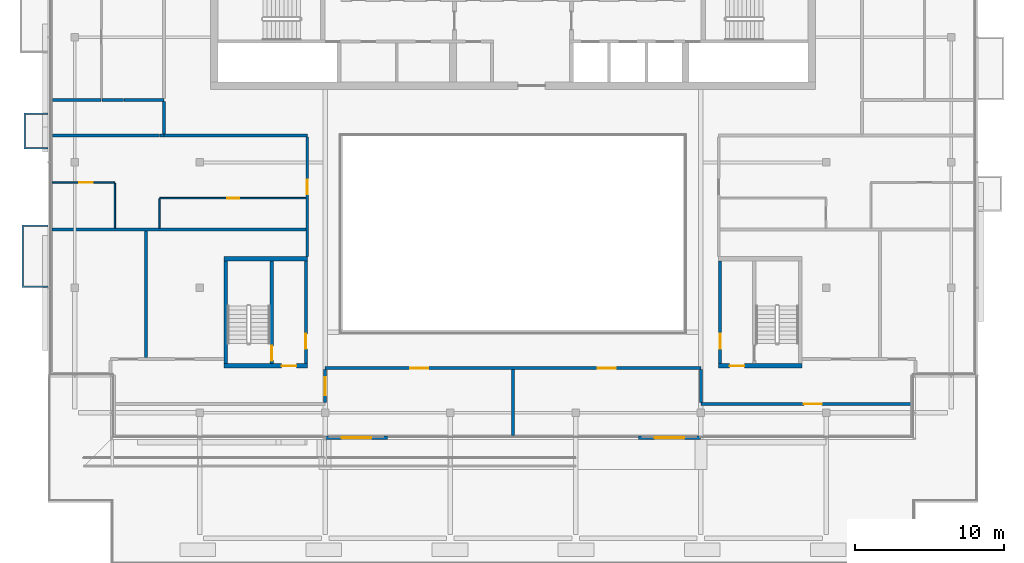
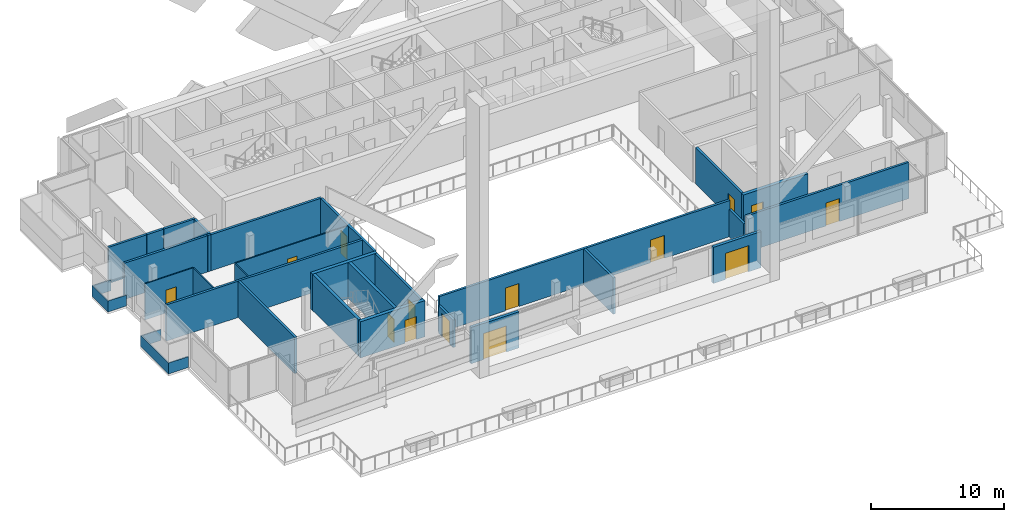
# One storey, part 11 of 22: 30 walls, 14 doors, 14 openings.
"""IFC4 building model written with IfcOpenShell, lengths in metres."""

from ifc_helpers import new_model, si_unit, direction, frame, frame_2d, origin, place, context, subcontext, project, spatial, polyline, rectangle, outline, extrude, material, layer, layer_set, type_object, element, fill, save


model = new_model("IFC4")

# Units and contexts
model_context = context("Model", 3, precision=1e-05, world=origin(), true_north=direction((0.0, 1.0)))
body_context = subcontext(model_context, "Body", "Model", "MODEL_VIEW")
ifc_project = project(units=[si_unit("LENGTHUNIT", "METRE"), si_unit("AREAUNIT", "SQUARE_METRE"), si_unit("VOLUMEUNIT", "CUBIC_METRE"), si_unit("PLANEANGLEUNIT", "RADIAN"), si_unit("MASSUNIT", "GRAM", prefix="KILO")], contexts=[model_context])

# Site, building, storey
site_placement = place(None, origin())
site = spatial("IfcSite", under=ifc_project, at=site_placement, CompositionType="ELEMENT")
building_placement = place(site_placement, origin())
building = spatial("IfcBuilding", under=site, at=building_placement, Name="Saffron Gate Tower", CompositionType="ELEMENT")
storey_placement = place(building_placement, frame((0.0, 0.0, 285.14990234375)))
storey = spatial("IfcBuildingStorey", under=building, at=storey_placement, Name="L69", CompositionType="ELEMENT", Elevation=285.14990234375)

# Wall, opening, door
ifc_material_1 = material(Name="Gypsum board partition on steel studs", Category="steel")
ifc_layer_1 = layer(ifc_material_1, 0.199951171875)
ifc_layer_set_1 = layer_set([ifc_layer_1], Name="CW10 Core partition 200")
wall_type_1 = type_object("IfcWallType", Name="CW10 Core partition 200", PredefinedType="PARTITIONING", material=ifc_layer_set_1)
wall_1_placement = place(storey_placement, frame((73.699951171875, 43.5, 0.0), z_axis=(0.0, 0.0, 1.0), x_axis=(0.0, 1.0, 0.0)))
wall_1 = element("IfcWall", 1, at=wall_1_placement, inside=storey, type_object=wall_type_1, Name="Wall CW10-L69-D-4", PredefinedType="PARTITIONING", context=body_context, shape_type="SweptSolid", body=[
    extrude(rectangle(XDim=6.89990234375, YDim=0.199951171875, at=frame_2d((3.449951171875, 0.0))), origin(), (0.0, 0.0, 1.0), 3.320068359375),
])
opening_1_placement = place(wall_1_placement, frame((1.0, 0.0, 0.0)))
opening_1 = element("IfcOpeningElement", 2, at=opening_1_placement, cuts=wall_1, Name="Opening CR-19", PredefinedType="OPENING", context=body_context, shape_type="SweptSolid", body=[
    extrude(rectangle(XDim=1.0, YDim=2.10009765625, at=frame_2d((0.5, 1.050048828125))), frame((0.0, 0.10986328125, 0.0), z_axis=(0.0, -1.0, 0.0), x_axis=(1.0, 0.0, 0.0)), (0.0, 0.0, 1.0), 0.219970703125),
])
ifc_material_2 = material(Name="Steel fire door set", Category="steel")
door_type_1 = type_object("IfcDoorType", Name="CD4 Lobby door 1000x2100 EI 120", OperationType="NOTDEFINED", PredefinedType="DOOR", material=ifc_material_2)
door_1_placement = place(opening_1_placement, origin())
door_1 = element("IfcDoor", 3, at=door_1_placement, inside=storey, type_object=door_type_1, Name="DOOR CR-19", OperationType="SINGLE_SWING_RIGHT", OverallHeight=2.10009765625, OverallWidth=1.0, PredefinedType="DOOR", context=body_context, shape_type="SweptSolid", body=[
    extrude(rectangle(XDim=1.0, YDim=2.10009765625, at=frame_2d((0.5, 1.050048828125))), frame((0.0, 0.02490234375, 0.0), z_axis=(0.0, -1.0, 0.0), x_axis=(1.0, 0.0, 0.0)), (0.0, 0.0, 1.0), 0.050048828125),
])
fill(opening_1, door_1)

wall_2_placement = place(storey_placement, frame((101.5, 43.5, 0.0), z_axis=(0.0, 0.0, 1.0), x_axis=(0.0, 1.0, 0.0)))
wall_2 = element("IfcWall", 4, at=wall_2_placement, inside=storey, type_object=wall_type_1, Name="Wall CW10-L69-E-2", PredefinedType="PARTITIONING", context=body_context, shape_type="SweptSolid", body=[
    extrude(rectangle(XDim=6.89990234375, YDim=0.199951171875, at=frame_2d((3.449951171875, 0.0))), origin(), (0.0, 0.0, 1.0), 3.320068359375),
])
opening_2_placement = place(wall_2_placement, frame((1.0, 0.0, 0.0)))
opening_2 = element("IfcOpeningElement", 5, at=opening_2_placement, cuts=wall_2, Name="Opening CR-22", PredefinedType="OPENING", context=body_context, shape_type="SweptSolid", body=[
    extrude(rectangle(XDim=1.0, YDim=2.10009765625, at=frame_2d((0.5, 1.050048828125))), frame((0.0, 0.10986328125, 0.0), z_axis=(0.0, -1.0, 0.0), x_axis=(1.0, 0.0, 0.0)), (0.0, 0.0, 1.0), 0.219970703125),
])
door_2_placement = place(opening_2_placement, origin())
door_2 = element("IfcDoor", 6, at=door_2_placement, inside=storey, type_object=door_type_1, Name="DOOR CR-22", OperationType="SINGLE_SWING_LEFT", OverallHeight=2.10009765625, OverallWidth=1.0, PredefinedType="DOOR", context=body_context, shape_type="SweptSolid", body=[
    extrude(rectangle(XDim=1.0, YDim=2.10009765625, at=frame_2d((0.5, 1.050048828125))), frame((0.0, 0.02490234375, 0.0), z_axis=(0.0, -1.0, 0.0), x_axis=(1.0, 0.0, 0.0)), (0.0, 0.0, 1.0), 0.050048828125),
])
fill(opening_2, door_2)

# Wall
ifc_material_3 = material(Name="Concrete C50", Category="concrete")
ifc_layer_2 = layer(ifc_material_3, 0.25)
ifc_layer_set_2 = layer_set([ifc_layer_2], Name="CW23 RC core wall 250 C50")
wall_type_2 = type_object("IfcWallType", Name="CW23 RC core wall 250 C50", PredefinedType="SOLIDWALL", material=ifc_layer_set_2)
wall_3_placement = place(storey_placement, frame((68.324951171875, 43.5, 0.0), z_axis=(0.0, 0.0, 1.0), x_axis=(0.0, 1.0, 0.0)))
element("IfcWall", 7, at=wall_3_placement, inside=storey, type_object=wall_type_2, Name="Wall CW23-L69-D-2", PredefinedType="SOLIDWALL", context=body_context, shape_type="SweptSolid", body=[
    extrude(rectangle(XDim=6.89990234375, YDim=0.25, at=frame_2d((3.449951171875, 0.0))), origin(), (0.0, 0.0, 1.0), 3.320068359375),
])

# Wall, opening, door
wall_4_placement = place(storey_placement, frame((71.425048828125, 43.5, 0.0), z_axis=(0.0, 0.0, 1.0), x_axis=(0.0, 1.0, 0.0)))
wall_4 = element("IfcWall", 8, at=wall_4_placement, inside=storey, type_object=wall_type_2, Name="Wall CW23-L69-D-3", PredefinedType="SOLIDWALL", context=body_context, shape_type="SweptSolid", body=[
    extrude(rectangle(XDim=6.89990234375, YDim=0.25, at=frame_2d((3.449951171875, 0.0))), origin(), (0.0, 0.0, 1.0), 3.320068359375),
])
opening_3_placement = place(wall_4_placement, frame((0.199951171875, 0.0, 0.0)))
opening_3 = element("IfcOpeningElement", 9, at=opening_3_placement, cuts=wall_4, Name="Opening CR-20", PredefinedType="OPENING", context=body_context, shape_type="SweptSolid", body=[
    extrude(rectangle(XDim=1.0, YDim=2.10009765625, at=frame_2d((0.5, 1.050048828125))), frame((0.0, 0.135009765625, 0.0), z_axis=(0.0, -1.0, 0.0), x_axis=(1.0, 0.0, 0.0)), (0.0, 0.0, 1.0), 0.27001953125),
])
door_type_2 = type_object("IfcDoorType", Name="CD5 Stair door 1000x2100 EI 120", OperationType="NOTDEFINED", PredefinedType="DOOR", material=ifc_material_2)
door_3_placement = place(opening_3_placement, origin())
door_3 = element("IfcDoor", 10, at=door_3_placement, inside=storey, type_object=door_type_2, Name="DOOR CR-20", OperationType="SINGLE_SWING_LEFT", OverallHeight=2.10009765625, OverallWidth=1.0, PredefinedType="DOOR", context=body_context, shape_type="SweptSolid", body=[
    extrude(rectangle(XDim=1.0, YDim=2.10009765625, at=frame_2d((0.5, 1.050048828125))), frame((0.0, 0.02490234375, 0.0), z_axis=(0.0, -1.0, 0.0), x_axis=(1.0, 0.0, 0.0)), (0.0, 0.0, 1.0), 0.050048828125),
])
fill(opening_3, door_3)

ifc_layer_3 = layer(ifc_material_3, 0.300048828125)
ifc_layer_set_3 = layer_set([ifc_layer_3], Name="CW26 RC core wall 300 C50")
wall_type_3 = type_object("IfcWallType", Name="CW26 RC core wall 300 C50", PredefinedType="SOLIDWALL", material=ifc_layer_set_3)
wall_5_placement = place(storey_placement, frame((68.199951171875, 43.35009765625, 0.0), z_axis=(0.0, 0.0, 1.0), x_axis=(1.0, 0.0, 0.0)))
wall_5 = element("IfcWall", 11, at=wall_5_placement, inside=storey, type_object=wall_type_3, Name="Wall CW26-L69-D-1", PredefinedType="SOLIDWALL", context=body_context, shape_type="SweptSolid", body=[
    extrude(rectangle(XDim=5.60009765625, YDim=0.300048828125, at=frame_2d((2.800048828125, 0.0))), origin(), (0.0, 0.0, 1.0), 3.320068359375),
])
opening_4_placement = place(wall_5_placement, frame((3.875, 0.0, 0.0)))
opening_4 = element("IfcOpeningElement", 12, at=opening_4_placement, cuts=wall_5, Name="Opening CR-18", PredefinedType="OPENING", context=body_context, shape_type="SweptSolid", body=[
    extrude(rectangle(XDim=1.0, YDim=2.10009765625, at=frame_2d((0.5, 1.050048828125))), frame((0.0, 0.16015625, 0.0), z_axis=(0.0, -1.0, 0.0), x_axis=(1.0, 0.0, 0.0)), (0.0, 0.0, 1.0), 0.320068359375),
])
door_4_placement = place(opening_4_placement, origin())
door_4 = element("IfcDoor", 13, at=door_4_placement, inside=storey, type_object=door_type_1, Name="DOOR CR-18", OperationType="SINGLE_SWING_RIGHT", OverallHeight=2.10009765625, OverallWidth=1.0, PredefinedType="DOOR", context=body_context, shape_type="SweptSolid", body=[
    extrude(rectangle(XDim=1.0, YDim=2.10009765625, at=frame_2d((0.5, 1.050048828125))), frame((0.0, 0.02490234375, 0.0), z_axis=(0.0, -1.0, 0.0), x_axis=(1.0, 0.0, 0.0)), (0.0, 0.0, 1.0), 0.050048828125),
])
fill(opening_4, door_4)

# Wall
wall_6_placement = place(storey_placement, frame((68.199951171875, 50.550048828125, 0.0), z_axis=(0.0, 0.0, 1.0), x_axis=(1.0, 0.0, 0.0)))
element("IfcWall", 14, at=wall_6_placement, inside=storey, type_object=wall_type_3, Name="Wall CW26-L69-D-5", PredefinedType="SOLIDWALL", context=body_context, shape_type="SweptSolid", body=[
    extrude(rectangle(XDim=5.60009765625, YDim=0.300048828125, at=frame_2d((2.800048828125, 0.0))), origin(), (0.0, 0.0, 1.0), 3.320068359375),
])

# Wall, opening, door
wall_7_placement = place(storey_placement, frame((101.39990234375, 43.35009765625, 0.0), z_axis=(0.0, 0.0, 1.0), x_axis=(1.0, 0.0, 0.0)))
wall_7 = element("IfcWall", 15, at=wall_7_placement, inside=storey, type_object=wall_type_3, Name="Wall CW26-L69-E-1", PredefinedType="SOLIDWALL", context=body_context, shape_type="SweptSolid", body=[
    extrude(rectangle(XDim=5.60009765625, YDim=0.300048828125, at=frame_2d((2.800048828125, 0.0))), origin(), (0.0, 0.0, 1.0), 3.320068359375),
])
opening_5_placement = place(wall_7_placement, frame((0.72509765625, 0.0, 0.0)))
opening_5 = element("IfcOpeningElement", 16, at=opening_5_placement, cuts=wall_7, Name="Opening CR-21", PredefinedType="OPENING", context=body_context, shape_type="SweptSolid", body=[
    extrude(rectangle(XDim=1.0, YDim=2.10009765625, at=frame_2d((0.5, 1.050048828125))), frame((0.0, 0.16015625, 0.0), z_axis=(0.0, -1.0, 0.0), x_axis=(1.0, 0.0, 0.0)), (0.0, 0.0, 1.0), 0.320068359375),
])
door_5_placement = place(opening_5_placement, origin())
door_5 = element("IfcDoor", 17, at=door_5_placement, inside=storey, type_object=door_type_1, Name="DOOR CR-21", OperationType="SINGLE_SWING_RIGHT", OverallHeight=2.10009765625, OverallWidth=1.0, PredefinedType="DOOR", context=body_context, shape_type="SweptSolid", body=[
    extrude(rectangle(XDim=1.0, YDim=2.10009765625, at=frame_2d((0.5, 1.050048828125))), frame((0.0, 0.02490234375, 0.0), z_axis=(0.0, -1.0, 0.0), x_axis=(1.0, 0.0, 0.0)), (0.0, 0.0, 1.0), 0.050048828125),
])
fill(opening_5, door_5)

ifc_material_4 = material(Name="Plasterboard on steel studs", Category="steel")
ifc_layer_4 = layer(ifc_material_4, 0.10009765625)
ifc_layer_set_4 = layer_set([ifc_layer_4], Name="PW1 Partition 100")
wall_type_4 = type_object("IfcWallType", Name="PW1 Partition 100", PredefinedType="PARTITIONING", material=ifc_layer_set_4)
wall_8_placement = place(storey_placement, frame((73.699951171875, 54.60009765625, 0.0), z_axis=(0.0, 0.0, 1.0), x_axis=(-1.0, 0.0, 0.0)))
wall_8 = element("IfcWall", 18, at=wall_8_placement, inside=storey, type_object=wall_type_4, Name="Partition E4-8", PredefinedType="PARTITIONING", context=body_context, shape_type="SweptSolid", body=[
    extrude(rectangle(XDim=9.800048828125, YDim=0.10009765625, at=frame_2d((4.89990234375, 0.0))), origin(), (0.0, 0.0, 1.0), 3.320068359375),
])
opening_6_placement = place(wall_8_placement, frame((4.449951171875, 0.0, 0.0)))
opening_6 = element("IfcOpeningElement", 19, at=opening_6_placement, cuts=wall_8, Name="Opening E4-9", PredefinedType="OPENING", context=body_context, shape_type="SweptSolid", body=[
    extrude(rectangle(XDim=0.800048828125, YDim=2.10009765625, at=frame_2d((0.39990234375, 1.050048828125))), frame((0.0, 0.06005859375, 0.0), z_axis=(0.0, -1.0, 0.0), x_axis=(1.0, 0.0, 0.0)), (0.0, 0.0, 1.0), 0.1201171875),
])
ifc_material_5 = material(Name="Timber door set", Category="wood")
door_type_3 = type_object("IfcDoorType", Name="RD2 Bathroom door 800x2100", OperationType="NOTDEFINED", PredefinedType="DOOR", material=ifc_material_5)
door_6_placement = place(opening_6_placement, origin())
door_6 = element("IfcDoor", 20, at=door_6_placement, inside=storey, type_object=door_type_3, Name="Door E4-9", OperationType="SINGLE_SWING_LEFT", OverallHeight=2.10009765625, OverallWidth=0.800048828125, PredefinedType="DOOR", context=body_context, shape_type="SweptSolid", body=[
    extrude(rectangle(XDim=0.800048828125, YDim=2.10009765625, at=frame_2d((0.39990234375, 1.050048828125))), frame((0.0, 0.02490234375, 0.0), z_axis=(0.0, -1.0, 0.0), x_axis=(1.0, 0.0, 0.0)), (0.0, 0.0, 1.0), 0.050048828125),
])
fill(opening_6, door_6)

wall_9_placement = place(storey_placement, frame((60.89990234375, 55.64990234375, 0.0), z_axis=(0.0, 0.0, 1.0), x_axis=(-1.0, 0.0, 0.0)))
wall_9 = element("IfcWall", 21, at=wall_9_placement, inside=storey, type_object=wall_type_4, Name="Partition E4-10", PredefinedType="PARTITIONING", context=body_context, shape_type="SweptSolid", body=[
    extrude(rectangle(XDim=4.219970703125, YDim=0.10009765625, at=frame_2d((2.10986328125, 0.0))), origin(), (0.0, 0.0, 1.0), 3.320068359375),
])
opening_7_placement = place(wall_9_placement, frame((1.5, 0.0, 0.0)))
opening_7 = element("IfcOpeningElement", 22, at=opening_7_placement, cuts=wall_9, Name="Opening E4-5", PredefinedType="OPENING", context=body_context, shape_type="SweptSolid", body=[
    extrude(rectangle(XDim=0.89990234375, YDim=2.10009765625, at=frame_2d((0.449951171875, 1.050048828125))), frame((0.0, 0.06005859375, 0.0), z_axis=(0.0, -1.0, 0.0), x_axis=(1.0, 0.0, 0.0)), (0.0, 0.0, 1.0), 0.1201171875),
])
door_type_4 = type_object("IfcDoorType", Name="RD1 Room door 900x2100", OperationType="NOTDEFINED", PredefinedType="DOOR", material=ifc_material_5)
door_7_placement = place(opening_7_placement, origin())
door_7 = element("IfcDoor", 23, at=door_7_placement, inside=storey, type_object=door_type_4, Name="Door E4-5", OperationType="SINGLE_SWING_LEFT", OverallHeight=2.10009765625, OverallWidth=0.89990234375, PredefinedType="DOOR", context=body_context, shape_type="SweptSolid", body=[
    extrude(rectangle(XDim=0.89990234375, YDim=2.10009765625, at=frame_2d((0.449951171875, 1.050048828125))), frame((0.0, 0.02490234375, 0.0), z_axis=(0.0, -1.0, 0.0), x_axis=(1.0, 0.0, 0.0)), (0.0, 0.0, 1.0), 0.050048828125),
])
fill(opening_7, door_7)

# Walls
wall_10_placement = place(storey_placement, frame((60.89990234375, 55.60009765625, 0.0), z_axis=(0.0, 0.0, 1.0), x_axis=(0.0, -1.0, 0.0)))
element("IfcWall", 24, at=wall_10_placement, inside=storey, type_object=wall_type_4, Name="Partition E4-29", PredefinedType="PARTITIONING", context=body_context, shape_type="SweptSolid", body=[
    extrude(rectangle(XDim=3.0, YDim=0.10009765625, at=frame_2d((1.5, 0.0))), origin(), (0.0, 0.0, 1.0), 3.320068359375),
])
wall_11_placement = place(storey_placement, frame((63.89990234375, 54.550048828125, 0.0), z_axis=(0.0, 0.0, 1.0), x_axis=(0.0, -1.0, 0.0)))
element("IfcWall", 25, at=wall_11_placement, inside=storey, type_object=wall_type_4, Name="Partition E4-32", PredefinedType="PARTITIONING", context=body_context, shape_type="SweptSolid", body=[
    extrude(rectangle(XDim=1.949951171875, YDim=0.10009765625, at=frame_2d((0.97509765625, 0.0))), origin(), (0.0, 0.0, 1.0), 3.320068359375),
])

# Wall, opening, door
ifc_material_6 = material(Name="Clay brick masonry, rendered", Category="masonry")
ifc_layer_5 = layer(ifc_material_6, 0.199951171875)
ifc_layer_set_5 = layer_set([ifc_layer_5], Name="PW3 Corridor wall 200")
wall_type_5 = type_object("IfcWallType", Name="PW3 Corridor wall 200", PredefinedType="PARTITIONING", material=ifc_layer_set_5)
wall_12_placement = place(storey_placement, frame((114.320068359375, 40.800048828125, 0.0), z_axis=(0.0, 0.0, 1.0), x_axis=(-1.0, 0.0, 0.0)))
wall_12 = element("IfcWall", 26, at=wall_12_placement, inside=storey, type_object=wall_type_5, Name="Wall E4-2", PredefinedType="PARTITIONING", context=body_context, shape_type="SweptSolid", body=[
    extrude(rectangle(XDim=14.1201171875, YDim=0.199951171875, at=frame_2d((7.06005859375, 0.0))), origin(), (0.0, 0.0, 1.0), 3.320068359375),
])
opening_8_placement = place(wall_12_placement, frame((6.010009765625, 0.0, 0.0)))
opening_8 = element("IfcOpeningElement", 27, at=opening_8_placement, cuts=wall_12, Name="Opening E4-17", PredefinedType="OPENING", context=body_context, shape_type="SweptSolid", body=[
    extrude(rectangle(XDim=1.199951171875, YDim=2.10009765625, at=frame_2d((0.60009765625, 1.050048828125))), frame((0.0, 0.10986328125, 0.0), z_axis=(0.0, -1.0, 0.0), x_axis=(1.0, 0.0, 0.0)), (0.0, 0.0, 1.0), 0.219970703125),
])
door_type_5 = type_object("IfcDoorType", Name="HD1 Hall door 1200x2100", OperationType="NOTDEFINED", PredefinedType="DOOR", material=ifc_material_5)
door_8_placement = place(opening_8_placement, origin())
door_8 = element("IfcDoor", 28, at=door_8_placement, inside=storey, type_object=door_type_5, Name="Door E4-17", OperationType="SINGLE_SWING_RIGHT", OverallHeight=2.10009765625, OverallWidth=1.199951171875, PredefinedType="DOOR", context=body_context, shape_type="SweptSolid", body=[
    extrude(rectangle(XDim=1.199951171875, YDim=2.10009765625, at=frame_2d((0.60009765625, 1.050048828125))), frame((0.0, 0.02490234375, 0.0), z_axis=(0.0, -1.0, 0.0), x_axis=(1.0, 0.0, 0.0)), (0.0, 0.0, 1.0), 0.050048828125),
])
fill(opening_8, door_8)

# Wall, openings, doors
wall_13_placement = place(storey_placement, frame((100.199951171875, 43.199951171875, 0.0), z_axis=(0.0, 0.0, 1.0), x_axis=(-1.0, 0.0, 0.0)))
wall_13 = element("IfcWall", 29, at=wall_13_placement, inside=storey, type_object=wall_type_5, Name="Wall E4-3", PredefinedType="PARTITIONING", context=body_context, shape_type="SweptSolid", body=[
    extrude(rectangle(XDim=25.199951171875, YDim=0.199951171875, at=frame_2d((12.60009765625, 0.0))), origin(), (0.0, 0.0, 1.0), 3.320068359375),
])
opening_9_placement = place(wall_13_placement, frame((5.699951171875, 0.0, 0.0)))
opening_9 = element("IfcOpeningElement", 30, at=opening_9_placement, cuts=wall_13, Name="Opening E4-14", PredefinedType="OPENING", context=body_context, shape_type="SweptSolid", body=[
    extrude(rectangle(XDim=1.199951171875, YDim=2.10009765625, at=frame_2d((0.60009765625, 1.050048828125))), frame((0.0, 0.10986328125, 0.0), z_axis=(0.0, -1.0, 0.0), x_axis=(1.0, 0.0, 0.0)), (0.0, 0.0, 1.0), 0.219970703125),
])
opening_10_placement = place(wall_13_placement, frame((18.300048828125, 0.0, 0.0)))
opening_10 = element("IfcOpeningElement", 31, at=opening_10_placement, cuts=wall_13, Name="Opening E4-13", PredefinedType="OPENING", context=body_context, shape_type="SweptSolid", body=[
    extrude(rectangle(XDim=1.199951171875, YDim=2.10009765625, at=frame_2d((0.60009765625, 1.050048828125))), frame((0.0, 0.10986328125, 0.0), z_axis=(0.0, -1.0, 0.0), x_axis=(1.0, 0.0, 0.0)), (0.0, 0.0, 1.0), 0.219970703125),
])
door_9_placement = place(opening_9_placement, origin())
door_9 = element("IfcDoor", 32, at=door_9_placement, inside=storey, type_object=door_type_5, Name="Door E4-14", OperationType="SINGLE_SWING_LEFT", OverallHeight=2.10009765625, OverallWidth=1.199951171875, PredefinedType="DOOR", context=body_context, shape_type="SweptSolid", body=[
    extrude(rectangle(XDim=1.199951171875, YDim=2.10009765625, at=frame_2d((0.60009765625, 1.050048828125))), frame((0.0, 0.02490234375, 0.0), z_axis=(0.0, -1.0, 0.0), x_axis=(1.0, 0.0, 0.0)), (0.0, 0.0, 1.0), 0.050048828125),
])
fill(opening_9, door_9)
door_10_placement = place(opening_10_placement, origin())
door_10 = element("IfcDoor", 33, at=door_10_placement, inside=storey, type_object=door_type_5, Name="Door E4-13", OperationType="SINGLE_SWING_RIGHT", OverallHeight=2.10009765625, OverallWidth=1.199951171875, PredefinedType="DOOR", context=body_context, shape_type="SweptSolid", body=[
    extrude(rectangle(XDim=1.199951171875, YDim=2.10009765625, at=frame_2d((0.60009765625, 1.050048828125))), frame((0.0, 0.02490234375, 0.0), z_axis=(0.0, -1.0, 0.0), x_axis=(1.0, 0.0, 0.0)), (0.0, 0.0, 1.0), 0.050048828125),
])
fill(opening_10, door_10)

# Wall
wall_14_placement = place(storey_placement, frame((64.199951171875, 58.800048828125, 0.0), z_axis=(0.0, 0.0, 1.0), x_axis=(1.0, 0.0, 0.0)))
element("IfcWall", 34, at=wall_14_placement, inside=storey, type_object=wall_type_5, Name="Wall E4-12", PredefinedType="PARTITIONING", context=body_context, shape_type="SweptSolid", body=[
    extrude(rectangle(XDim=9.60009765625, YDim=0.199951171875, at=frame_2d((4.800048828125, 0.0))), origin(), (0.0, 0.0, 1.0), 3.320068359375),
])

# Wall, opening, door
wall_15_placement = place(storey_placement, frame((73.800048828125, 50.699951171875, 0.0), z_axis=(0.0, 0.0, 1.0), x_axis=(0.0, 1.0, 0.0)))
wall_15 = element("IfcWall", 35, at=wall_15_placement, inside=storey, type_object=wall_type_5, Name="Wall E4-35", PredefinedType="PARTITIONING", context=body_context, shape_type="SweptSolid", body=[
    extrude(rectangle(XDim=8.0, YDim=0.199951171875, at=frame_2d((4.0, 0.0))), origin(), (0.0, 0.0, 1.0), 3.320068359375),
])
opening_11_placement = place(wall_15_placement, frame((4.14990234375, 0.0, 0.0)))
opening_11 = element("IfcOpeningElement", 36, at=opening_11_placement, cuts=wall_15, Name="Opening E4-1", PredefinedType="OPENING", context=body_context, shape_type="SweptSolid", body=[
    extrude(rectangle(XDim=1.0, YDim=2.10009765625, at=frame_2d((0.5, 1.050048828125))), frame((0.0, 0.10986328125, 0.0), z_axis=(0.0, -1.0, 0.0), x_axis=(1.0, 0.0, 0.0)), (0.0, 0.0, 1.0), 0.219970703125),
])
ifc_material_7 = material(Name="Timber fire door set", Category="wood")
door_type_6 = type_object("IfcDoorType", Name="FD1 Flat entry door 1000x2100", OperationType="NOTDEFINED", PredefinedType="DOOR", material=ifc_material_7)
door_11_placement = place(opening_11_placement, origin())
door_11 = element("IfcDoor", 37, at=door_11_placement, inside=storey, type_object=door_type_6, Name="Door E4-1", OperationType="SINGLE_SWING_RIGHT", OverallHeight=2.10009765625, OverallWidth=1.0, PredefinedType="DOOR", context=body_context, shape_type="SweptSolid", body=[
    extrude(rectangle(XDim=1.0, YDim=2.10009765625, at=frame_2d((0.5, 1.050048828125))), frame((0.0, 0.02490234375, 0.0), z_axis=(0.0, -1.0, 0.0), x_axis=(1.0, 0.0, 0.0)), (0.0, 0.0, 1.0), 0.050048828125),
])
fill(opening_11, door_11)

wall_16_placement = place(storey_placement, frame((75.0, 43.10009765625, 0.0), z_axis=(0.0, 0.0, 1.0), x_axis=(0.0, -1.0, 0.0)))
wall_16 = element("IfcWall", 38, at=wall_16_placement, inside=storey, type_object=wall_type_5, Name="Wall E4-36", PredefinedType="PARTITIONING", context=body_context, shape_type="SweptSolid", body=[
    extrude(rectangle(XDim=2.2001953125, YDim=0.199951171875, at=frame_2d((1.10009765625, 0.0))), origin(), (0.0, 0.0, 1.0), 2.530029296875),
])
opening_12_placement = place(wall_16_placement, frame((0.5, 0.0, 0.0)))
opening_12 = element("IfcOpeningElement", 39, at=opening_12_placement, cuts=wall_16, Name="Opening E4-20", PredefinedType="OPENING", context=body_context, shape_type="SweptSolid", body=[
    extrude(rectangle(XDim=1.199951171875, YDim=2.10009765625, at=frame_2d((0.60009765625, 1.050048828125))), frame((0.0, 0.10986328125, 0.0), z_axis=(0.0, -1.0, 0.0), x_axis=(1.0, 0.0, 0.0)), (0.0, 0.0, 1.0), 0.219970703125),
])
door_12_placement = place(opening_12_placement, origin())
door_12 = element("IfcDoor", 40, at=door_12_placement, inside=storey, type_object=door_type_5, Name="Door E4-20", OperationType="SINGLE_SWING_RIGHT", OverallHeight=2.10009765625, OverallWidth=1.199951171875, PredefinedType="DOOR", context=body_context, shape_type="SweptSolid", body=[
    extrude(rectangle(XDim=1.199951171875, YDim=2.10009765625, at=frame_2d((0.60009765625, 1.050048828125))), frame((0.0, 0.02490234375, 0.0), z_axis=(0.0, -1.0, 0.0), x_axis=(1.0, 0.0, 0.0)), (0.0, 0.0, 1.0), 0.050048828125),
])
fill(opening_12, door_12)

# Walls
wall_17_placement = place(storey_placement, frame((100.199951171875, 43.10009765625, 0.0), z_axis=(0.0, 0.0, 1.0), x_axis=(0.0, -1.0, 0.0)))
element("IfcWall", 41, at=wall_17_placement, inside=storey, type_object=wall_type_5, Name="Wall E4-38", PredefinedType="PARTITIONING", context=body_context, shape_type="SweptSolid", body=[
    extrude(rectangle(XDim=2.2001953125, YDim=0.199951171875, at=frame_2d((1.10009765625, 0.0))), origin(), (0.0, 0.0, 1.0), 2.530029296875),
])
ifc_layer_6 = layer(ifc_material_6, 0.199951171875)
ifc_layer_set_6 = layer_set([ifc_layer_6], Name="PW5 Room wall 200")
wall_type_6 = type_object("IfcWallType", Name="PW5 Room wall 200", PredefinedType="PARTITIONING", material=ifc_layer_set_6)
wall_18_placement = place(storey_placement, frame((56.679931640625, 52.5, 0.0), z_axis=(0.0, 0.0, 1.0), x_axis=(1.0, 0.0, 0.0)))
element("IfcWall", 42, at=wall_18_placement, inside=storey, type_object=wall_type_6, Name="Wall E4-6", PredefinedType="PARTITIONING", context=body_context, shape_type="SweptSolid", body=[
    extrude(rectangle(XDim=17.02001953125, YDim=0.199951171875, at=frame_2d((8.510009765625, 0.0))), origin(), (0.0, 0.0, 1.0), 3.320068359375),
])
wall_19_placement = place(storey_placement, frame((56.699951171875, 58.800048828125, 0.0), z_axis=(0.0, 0.0, 1.0), x_axis=(1.0, 0.0, 0.0)))
element("IfcWall", 43, at=wall_19_placement, inside=storey, type_object=wall_type_6, Name="Wall E4-14", PredefinedType="PARTITIONING", context=body_context, shape_type="SweptSolid", body=[
    extrude(rectangle(XDim=7.179931640625, YDim=0.199951171875, at=frame_2d((3.58984375, 0.0))), origin(), (0.0, 0.0, 1.0), 3.320068359375),
])
wall_20_placement = place(storey_placement, frame((63.919921875, 58.800048828125, 0.0), z_axis=(0.0, 0.0, 1.0), x_axis=(1.0, 0.0, 0.0)))
element("IfcWall", 44, at=wall_20_placement, inside=storey, type_object=wall_type_6, Name="Wall E4-15", PredefinedType="PARTITIONING", context=body_context, shape_type="SweptSolid", body=[
    extrude(rectangle(XDim=0.260009765625, YDim=0.199951171875, at=frame_2d((0.1298828125, 0.0))), origin(), (0.0, 0.0, 1.0), 3.320068359375),
])
wall_21_placement = place(storey_placement, frame((56.699951171875, 61.199951171875, 0.0), z_axis=(0.0, 0.0, 1.0), x_axis=(1.0, 0.0, 0.0)))
element("IfcWall", 45, at=wall_21_placement, inside=storey, type_object=wall_type_6, Name="Wall E4-17", PredefinedType="PARTITIONING", context=body_context, shape_type="SweptSolid", body=[
    extrude(rectangle(XDim=3.280029296875, YDim=0.199951171875, at=frame_2d((1.64013671875, 0.0))), origin(), (0.0, 0.0, 1.0), 3.320068359375),
])
wall_22_placement = place(storey_placement, frame((60.02001953125, 61.199951171875, 0.0), z_axis=(0.0, 0.0, 1.0), x_axis=(1.0, 0.0, 0.0)))
element("IfcWall", 46, at=wall_22_placement, inside=storey, type_object=wall_type_6, Name="Wall E4-18", PredefinedType="PARTITIONING", context=body_context, shape_type="SweptSolid", body=[
    extrude(rectangle(XDim=1.4599609375, YDim=0.199951171875, at=frame_2d((0.72998046875, 0.0))), origin(), (0.0, 0.0, 1.0), 3.320068359375),
])
wall_23_placement = place(storey_placement, frame((61.52001953125, 61.199951171875, 0.0), z_axis=(0.0, 0.0, 1.0), x_axis=(1.0, 0.0, 0.0)))
element("IfcWall", 47, at=wall_23_placement, inside=storey, type_object=wall_type_6, Name="Wall E4-19", PredefinedType="PARTITIONING", context=body_context, shape_type="SweptSolid", body=[
    extrude(rectangle(XDim=2.659912109375, YDim=0.199951171875, at=frame_2d((1.330078125, 0.0))), origin(), (0.0, 0.0, 1.0), 3.320068359375),
])
wall_24_placement = place(storey_placement, frame((63.0, 52.39990234375, 0.0), z_axis=(0.0, 0.0, 1.0), x_axis=(0.0, -1.0, 0.0)))
element("IfcWall", 48, at=wall_24_placement, inside=storey, type_object=wall_type_6, Name="Wall E4-31", PredefinedType="PARTITIONING", context=body_context, shape_type="SweptSolid", body=[
    extrude(rectangle(XDim=8.5, YDim=0.199951171875, at=frame_2d((4.25, 0.0))), origin(), (0.0, 0.0, 1.0), 3.320068359375),
])
wall_25_placement = place(storey_placement, frame((64.199951171875, 61.10009765625, 0.0), z_axis=(0.0, 0.0, 1.0), x_axis=(0.0, -1.0, 0.0)))
element("IfcWall", 49, at=wall_25_placement, inside=storey, type_object=wall_type_6, Name="Wall E4-34", PredefinedType="PARTITIONING", context=body_context, shape_type="SweptSolid", body=[
    extrude(rectangle(XDim=2.2001953125, YDim=0.199951171875, at=frame_2d((1.10009765625, 0.0))), origin(), (0.0, 0.0, 1.0), 3.320068359375),
])
wall_26_placement = place(storey_placement, frame((87.60009765625, 43.10009765625, 0.0), z_axis=(0.0, 0.0, 1.0), x_axis=(0.0, -1.0, 0.0)))
element("IfcWall", 50, at=wall_26_placement, inside=storey, type_object=wall_type_6, Name="Wall E4-37", PredefinedType="PARTITIONING", context=body_context, shape_type="SweptSolid", body=[
    extrude(rectangle(XDim=4.420166015625, YDim=0.199951171875, at=frame_2d((2.2099609375, 0.0))), origin(), (0.0, 0.0, 1.0), 3.320068359375),
])
ifc_material_8 = material(Name="Rendered insulated panel, white")
ifc_layer_7 = layer(ifc_material_8, 0.10009765625)
ifc_layer_set_7 = layer_set([ifc_layer_7], Name="WB3 box parapet white")
wall_type_7 = type_object("IfcWallType", Name="WB3 box parapet white", PredefinedType="SOLIDWALL", material=ifc_layer_set_7)
wall_27_placement = place(storey_placement, origin())
element("IfcWall", 51, at=wall_27_placement, inside=storey, type_object=wall_type_7, Name="WINDOW BOX parapet", PredefinedType="SOLIDWALL", context=body_context, shape_type="SweptSolid", body=[
    extrude(outline(polyline([(56.39990234375, 60.300048828125), (56.39990234375, 60.199951171875), (54.89990234375, 60.199951171875), (54.89990234375, 58.0), (56.39990234375, 58.0), (56.39990234375, 57.89990234375), (54.800048828125, 57.89990234375), (54.800048828125, 60.300048828125), (56.39990234375, 60.300048828125)])), origin(), (0.0, 0.0, 1.0), 1.0),
])
wall_28_placement = place(storey_placement, origin())
element("IfcWall", 52, at=wall_28_placement, inside=storey, type_object=wall_type_7, Name="WINDOW BOX parapet", PredefinedType="SOLIDWALL", context=body_context, shape_type="SweptSolid", body=[
    extrude(outline(polyline([(56.39990234375, 52.800048828125), (56.39990234375, 52.699951171875), (54.76708984375, 52.699951171875), (54.76708984375, 48.699951171875), (56.39990234375, 48.699951171875), (56.39990234375, 48.60009765625), (54.6669921875, 48.60009765625), (54.6669921875, 52.800048828125), (56.39990234375, 52.800048828125)])), origin(), (0.0, 0.0, 1.0), 1.0),
])

# Wall, opening, door
ifc_material_9 = material(Name="Reinforced concrete C40/50 clad in bronze panels", Category="concrete")
ifc_layer_8 = layer(ifc_material_9, 0.25)
ifc_layer_set_8 = layer_set([ifc_layer_8], Name="WBAY2 deck door bay wall")
wall_type_8 = type_object("IfcWallType", Name="WBAY2 deck door bay wall", PredefinedType="SOLIDWALL", material=ifc_layer_set_8)
wall_29_placement = place(storey_placement, frame((79.169921875, 38.52490234375, 0.0), z_axis=(0.0, 0.0, 1.0), x_axis=(-1.0, 0.0, 0.0)))
wall_29 = element("IfcWall", 53, at=wall_29_placement, inside=storey, type_object=wall_type_8, Name="ENTRANCE BAY wall", PredefinedType="SOLIDWALL", context=body_context, shape_type="SweptSolid", body=[
    extrude(rectangle(XDim=4.139892578125, YDim=0.25, at=frame_2d((2.06982421875, 0.0))), origin(), (0.0, 0.0, 1.0), 3.320068359375),
])
opening_13_placement = place(wall_29_placement, frame((1.070068359375, 0.0, 0.0)))
opening_13 = element("IfcOpeningElement", 54, at=opening_13_placement, cuts=wall_29, Name="Opening T69-01", PredefinedType="OPENING", context=body_context, shape_type="SweptSolid", body=[
    extrude(rectangle(XDim=2.0, YDim=2.39990234375, at=frame_2d((1.0, 1.199951171875))), frame((0.0, 0.135009765625, 0.0), z_axis=(0.0, -1.0, 0.0), x_axis=(1.0, 0.0, 0.0)), (0.0, 0.0, 1.0), 0.27001953125),
])
ifc_material_10 = material(Name="Bronze-framed toughened glass", Category="glass")
ifc_layer_9 = layer(ifc_material_10, 0.050048828125)
ifc_layer_set_9 = layer_set([ifc_layer_9], Name="D1 external double door 2000x2400")
door_type_7 = type_object("IfcDoorType", Name="D1 external double door 2000x2400", OperationType="DOUBLE_DOOR_SINGLE_SWING", PredefinedType="DOOR", material=ifc_layer_set_9)
door_13_placement = place(opening_13_placement, origin())
door_13 = element("IfcDoor", 55, at=door_13_placement, inside=storey, type_object=door_type_7, Name="DOOR T69-01", OperationType="DOUBLE_DOOR_SINGLE_SWING", OverallHeight=2.39990234375, OverallWidth=2.0, PredefinedType="DOOR", context=body_context, shape_type="SweptSolid", body=[
    extrude(rectangle(XDim=2.0, YDim=2.39990234375, at=frame_2d((1.0, 1.199951171875))), frame((0.0, 0.02490234375, 0.0), z_axis=(0.0, -1.0, 0.0), x_axis=(1.0, 0.0, 0.0)), (0.0, 0.0, 1.0), 0.050048828125),
])
fill(opening_13, door_13)

wall_30_placement = place(storey_placement, frame((100.169921875, 38.52490234375, 0.0), z_axis=(0.0, 0.0, 1.0), x_axis=(-1.0, 0.0, 0.0)))
wall_30 = element("IfcWall", 56, at=wall_30_placement, inside=storey, type_object=wall_type_8, Name="ENTRANCE BAY wall", PredefinedType="SOLIDWALL", context=body_context, shape_type="SweptSolid", body=[
    extrude(rectangle(XDim=4.139892578125, YDim=0.25, at=frame_2d((2.06982421875, 0.0))), origin(), (0.0, 0.0, 1.0), 3.320068359375),
])
opening_14_placement = place(wall_30_placement, frame((1.070068359375, 0.0, 0.0)))
opening_14 = element("IfcOpeningElement", 57, at=opening_14_placement, cuts=wall_30, Name="Opening T69-02", PredefinedType="OPENING", context=body_context, shape_type="SweptSolid", body=[
    extrude(rectangle(XDim=2.0, YDim=2.39990234375, at=frame_2d((1.0, 1.199951171875))), frame((0.0, 0.135009765625, 0.0), z_axis=(0.0, -1.0, 0.0), x_axis=(1.0, 0.0, 0.0)), (0.0, 0.0, 1.0), 0.27001953125),
])
door_14_placement = place(opening_14_placement, origin())
door_14 = element("IfcDoor", 58, at=door_14_placement, inside=storey, type_object=door_type_7, Name="DOOR T69-02", OperationType="DOUBLE_DOOR_SINGLE_SWING", OverallHeight=2.39990234375, OverallWidth=2.0, PredefinedType="DOOR", context=body_context, shape_type="SweptSolid", body=[
    extrude(rectangle(XDim=2.0, YDim=2.39990234375, at=frame_2d((1.0, 1.199951171875))), frame((0.0, 0.02490234375, 0.0), z_axis=(0.0, -1.0, 0.0), x_axis=(1.0, 0.0, 0.0)), (0.0, 0.0, 1.0), 0.050048828125),
])
fill(opening_14, door_14)

save(model, "model.ifc")
